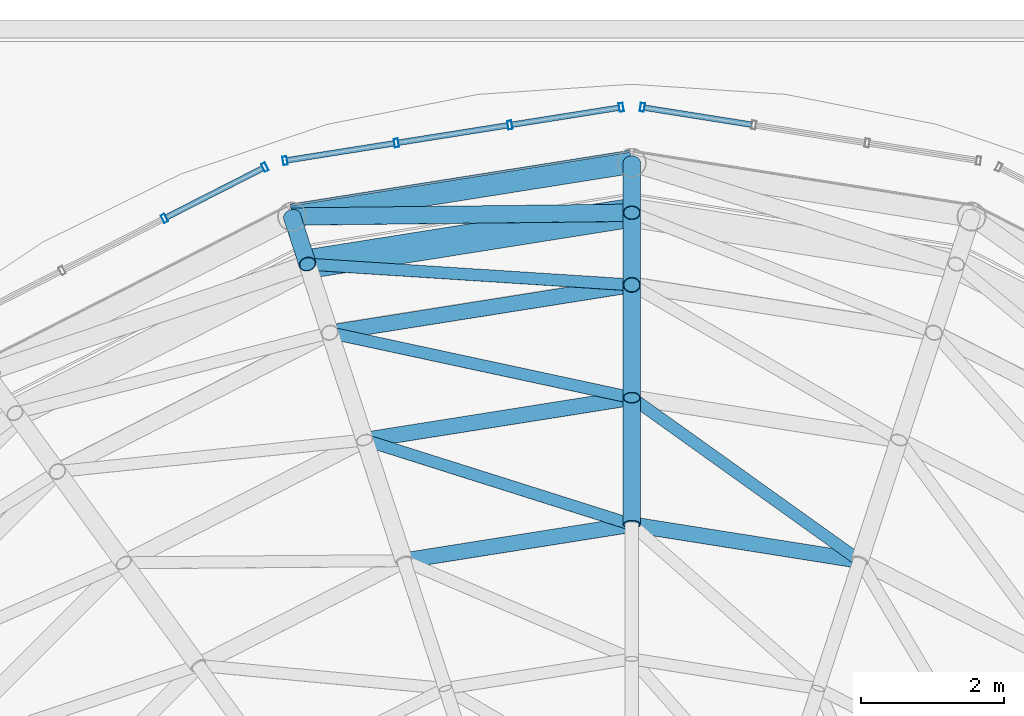
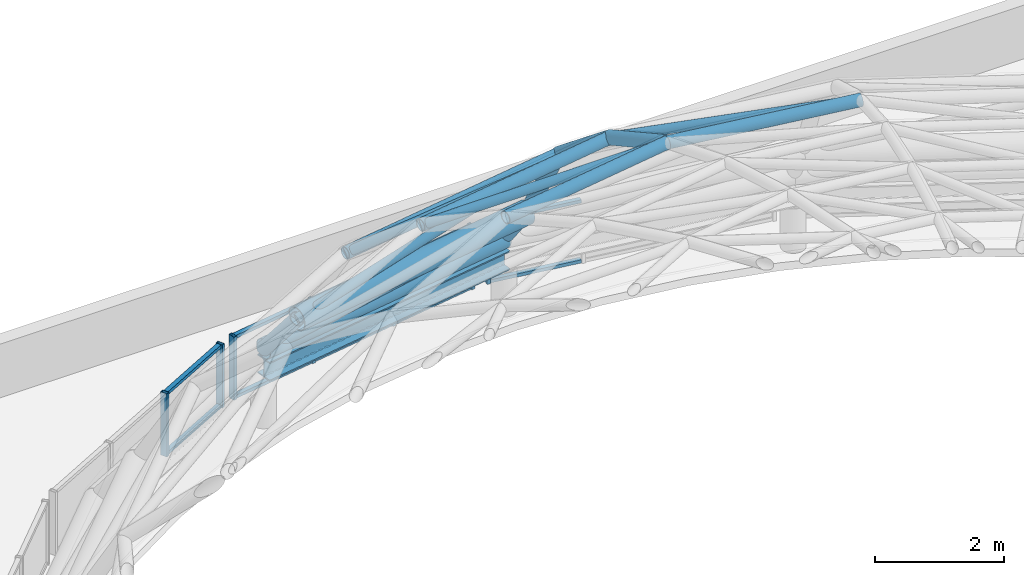
# One storey, part 36 of 69: 33 members, 1 beam, 3 elements without a shape of their own.
"""IFC4 building model written with IfcOpenShell, lengths in metres."""

from ifc_helpers import new_model, si_unit, direction, frame, origin, origin_2d, place, context, subcontext, project, spatial, hollow_rectangle, hollow_circle, i_section, extrude, material, layer, layer_set, material_profile, profile_set, type_object, element, aggregate, save


model = new_model("IFC4")

# Units and contexts
model_context = context("Model", 3, precision=1e-05, world=origin(), true_north=direction((0.0, 1.0)))
body_context = subcontext(model_context, "Body", "Model", "MODEL_VIEW")
ifc_project = project(units=[si_unit("LENGTHUNIT", "METRE"), si_unit("AREAUNIT", "SQUARE_METRE"), si_unit("VOLUMEUNIT", "CUBIC_METRE"), si_unit("PLANEANGLEUNIT", "RADIAN"), si_unit("MASSUNIT", "GRAM", prefix="KILO")], contexts=[model_context])

# Site, building, storey
site_placement = place(None, origin())
site = spatial("IfcSite", under=ifc_project, at=site_placement, CompositionType="ELEMENT")
building_placement = place(site_placement, origin())
building = spatial("IfcBuilding", under=site, at=building_placement, Name="Kallimachos Central Library", CompositionType="ELEMENT")
storey_placement = place(building_placement, frame((0.0, 0.0, 23.39990234375)))
storey = spatial("IfcBuildingStorey", under=building, at=storey_placement, Name="L05", CompositionType="ELEMENT", Elevation=23.39990234375)

# Members
ifc_material_1 = material(Name="Steel S355J2H", Category="steel")
ifc_material_profile_1 = material_profile(ifc_material_1, hollow_circle(Radius=0.084228515625, WallThickness=0.008056640625, at=origin_2d()), Name="CHS 168.3x8")
ifc_profile_set_1 = profile_set([ifc_material_profile_1], Name="Steel S355J2H")
member_type_1 = type_object("IfcMemberType", Name="CHS 168.3x8 dome diagonal", PredefinedType="BRACE", material=ifc_profile_set_1)
for number, where, z_axis, x_axis, name in (
    (1, (91.19287109375, 114.226806640625, 6.24853515625), (-0.789267453996, 0.564219408733, -0.242308367319), (-0.581550014211, -0.813510652033, 0.0), "Dome diagonal DD-4-04"),
    (2, (88.0, 114.732421875, 6.24853515625), (-0.924993749275, 0.292700442616, -0.242307686001), (-0.30169099835, -0.953405759115, 0.0), "Dome diagonal DD-4-05"),
):
    element("IfcMember", number, at=place(storey_placement, frame(where, z_axis=z_axis, x_axis=x_axis)), inside=storey, type_object=member_type_1, Name=name, PredefinedType="BRACE", context=body_context, shape_type="SweptSolid", body=[
        extrude(hollow_circle(Radius=0.084228515625, WallThickness=0.008056640625, at=origin_2d()), origin(), (0.0, 0.0, 1.0), 4.04541015625),
    ])
member_1_placement = place(storey_placement, frame((88.0, 116.50927734375, 5.268310546875), z_axis=(-0.938095847414, 0.201782375675, -0.281531621548), x_axis=(-0.210288119919, -0.977639456354, 0.0)))
element("IfcMember", 3, at=member_1_placement, inside=storey, type_object=member_type_1, Name="Dome diagonal DD-5-05", PredefinedType="BRACE", context=body_context, shape_type="SweptSolid", body=[
    extrude(hollow_circle(Radius=0.084228515625, WallThickness=0.008056640625, at=origin_2d()), origin(), (0.0, 0.0, 1.0), 4.50927734375),
])
member_2_placement = place(storey_placement, frame((88.0, 118.08935546875, 3.998779296875), z_axis=(-0.933461755214, 0.059852728903, -0.353647850828), x_axis=(-0.06398770127, -0.997950687202, 0.0)))
element("IfcMember", 4, at=member_2_placement, inside=storey, type_object=member_type_1, Name="Dome diagonal DD-6-05", PredefinedType="BRACE", context=body_context, shape_type="SweptSolid", body=[
    extrude(hollow_circle(Radius=0.084228515625, WallThickness=0.008056640625, at=origin_2d()), origin(), (0.0, 0.0, 1.0), 4.8662109375),
])
ifc_material_2 = material(Name="Steel S355J2H", Category="steel")
ifc_material_profile_2 = material_profile(ifc_material_2, hollow_circle(Radius=0.109619140625, WallThickness=0.012451171875, at=origin_2d()), Name="CHS 219.1x12.5")
ifc_profile_set_2 = profile_set([ifc_material_profile_2], Name="Steel S355J2H")
member_type_2 = type_object("IfcMemberType", Name="CHS 219.1x12.5 dome ring", PredefinedType="PURLIN", material=ifc_profile_set_2)
for number, where, z_axis, x_axis, name in (
    (5, (91.19287109375, 114.226806640625, 6.24853515625), (-0.987692444358, 0.156408552704, 0.0), (-0.156408552704, -0.987692444358, 0.0), "Dome ring DN-4-04"),
    (6, (88.0, 114.732421875, 6.24853515625), (-0.987692444358, -0.156408552704, 0.0), (0.156408552704, -0.987692444358, 0.0), "Dome ring DN-4-05"),
):
    element("IfcMember", number, at=place(storey_placement, frame(where, z_axis=z_axis, x_axis=x_axis)), inside=storey, type_object=member_type_2, Name=name, PredefinedType="PURLIN", context=body_context, shape_type="SweptSolid", body=[
        extrude(hollow_circle(Radius=0.109619140625, WallThickness=0.012451171875, at=origin_2d()), origin(), (0.0, 0.0, 1.0), 3.232666015625),
    ])
member_3_placement = place(storey_placement, frame((88.0, 116.50927734375, 5.268310546875), z_axis=(-0.987683942521, -0.156462230863, 0.0), x_axis=(0.156462230863, -0.987683942521, 0.0)))
element("IfcMember", 7, at=member_3_placement, inside=storey, type_object=member_type_2, Name="Dome ring DN-5-05", PredefinedType="PURLIN", context=body_context, shape_type="SweptSolid", body=[
    extrude(hollow_circle(Radius=0.109619140625, WallThickness=0.012451171875, at=origin_2d()), origin(), (0.0, 0.0, 1.0), 3.78857421875),
])
member_4_placement = place(storey_placement, frame((88.0, 118.08935546875, 3.998779296875), z_axis=(-0.987682414265, -0.15647187783, 0.0), x_axis=(0.15647187783, -0.987682414265, 0.0)))
element("IfcMember", 8, at=member_4_placement, inside=storey, type_object=member_type_2, Name="Dome ring DN-6-05", PredefinedType="PURLIN", context=body_context, shape_type="SweptSolid", body=[
    extrude(hollow_circle(Radius=0.109619140625, WallThickness=0.012451171875, at=origin_2d()), origin(), (0.0, 0.0, 1.0), 4.282958984375),
])
ifc_material_3 = material(Name="Steel S355J2H", Category="steel")
ifc_material_profile_3 = material_profile(ifc_material_3, hollow_circle(Radius=0.122314453125, WallThickness=0.012451171875, at=origin_2d()), Name="CHS 244.5x12.5")
ifc_profile_set_3 = profile_set([ifc_material_profile_3], Name="Steel S355J2H")
member_type_3 = type_object("IfcMemberType", Name="CHS 244.5x12.5 dome diagonal", PredefinedType="BRACE", material=ifc_profile_set_3)
member_5_placement = place(storey_placement, frame((88.0, 119.10009765625, 2.27783203125), z_axis=(-0.982525251914, -0.011089449796, -0.185798690671), x_axis=(0.011285962884, -0.999936311493, 0.0)))
element("IfcMember", 9, at=member_5_placement, inside=storey, type_object=member_type_3, Name="Dome diagonal DD-7-05", PredefinedType="BRACE", context=body_context, shape_type="SweptSolid", body=[
    extrude(hollow_circle(Radius=0.122314453125, WallThickness=0.012451171875, at=origin_2d()), origin(), (0.0, 0.0, 1.0), 4.843505859375),
])
ifc_material_4 = material(Name="Steel S355J2H", Category="steel")
ifc_material_profile_4 = material_profile(ifc_material_4, hollow_circle(Radius=0.122314453125, WallThickness=0.012451171875, at=origin_2d()), Name="CHS 244.5x12.5")
ifc_profile_set_4 = profile_set([ifc_material_profile_4], Name="Steel S355J2H")
member_type_4 = type_object("IfcMemberType", Name="CHS 244.5x12.5 dome rib", PredefinedType="RAFTER", material=ifc_profile_set_4)
member_6_placement = place(storey_placement, frame((88.0, 114.732421875, 6.24853515625), z_axis=(0.0, 0.875600494383, -0.483035996833), x_axis=(-1.0, 0.0, 0.0)))
element("IfcMember", 10, at=member_6_placement, inside=storey, type_object=member_type_4, Name="Dome rib DR-4-05", PredefinedType="RAFTER", context=body_context, shape_type="SweptSolid", body=[
    extrude(hollow_circle(Radius=0.122314453125, WallThickness=0.012451171875, at=origin_2d()), origin(), (0.0, 0.0, 1.0), 2.029296875),
])
member_7_placement = place(storey_placement, frame((88.0, 116.50927734375, 5.268310546875), z_axis=(0.0, 0.779550942262, -0.626338828764), x_axis=(-1.0, 0.0, 0.0)))
element("IfcMember", 11, at=member_7_placement, inside=storey, type_object=member_type_4, Name="Dome rib DR-5-05", PredefinedType="RAFTER", context=body_context, shape_type="SweptSolid", body=[
    extrude(hollow_circle(Radius=0.122314453125, WallThickness=0.012451171875, at=origin_2d()), origin(), (0.0, 0.0, 1.0), 2.02685546875),
])
member_8_placement = place(storey_placement, frame((88.0, 118.08935546875, 3.998779296875), z_axis=(0.0, 0.506431960576, -0.862279925145), x_axis=(-1.0, 0.0, 0.0)))
element("IfcMember", 12, at=member_8_placement, inside=storey, type_object=member_type_4, Name="Dome rib DR-6-05", PredefinedType="RAFTER", context=body_context, shape_type="SweptSolid", body=[
    extrude(hollow_circle(Radius=0.122314453125, WallThickness=0.012451171875, at=origin_2d()), origin(), (0.0, 0.0, 1.0), 1.995849609375),
])
for number, where, z_axis, x_axis, name in (
    (13, (88.0, 119.10009765625, 2.27783203125), (0.0, 0.613955438871, -0.78934068632), (-1.0, 0.0, 0.0), "Dome rib DR-7-05"),
    (14, (83.45751953125, 118.380615234375, 2.27783203125), (-0.189725015868, 0.583950472089, -0.78930745879), (-0.951062257173, -0.308999325213, 0.0), "Dome rib DR-7-06"),
):
    element("IfcMember", number, at=place(storey_placement, frame(where, z_axis=z_axis, x_axis=x_axis)), inside=storey, type_object=member_type_4, Name=name, PredefinedType="RAFTER", context=body_context, shape_type="SweptSolid", body=[
        extrude(hollow_circle(Radius=0.122314453125, WallThickness=0.012451171875, at=origin_2d()), origin(), (0.0, 0.0, 1.0), 1.14013671875),
    ])
ifc_material_5 = material(Name="Steel S355J2H", Category="steel")
ifc_material_profile_5 = material_profile(ifc_material_5, hollow_circle(Radius=0.177734375, WallThickness=0.008056640625, at=origin_2d()), Name="CHS 355.6x8")
ifc_profile_set_5 = profile_set([ifc_material_profile_5], Name="Steel S355J2H")
member_type_5 = type_object("IfcMemberType", Name="CHS 355.6x8 dome ring", PredefinedType="PURLIN", material=ifc_profile_set_5)
member_9_placement = place(storey_placement, frame((88.0, 119.800048828125, 1.3779296875), z_axis=(-0.987690137413, -0.156423119957, 0.0), x_axis=(0.156423119957, -0.987690137413, 0.0)))
element("IfcMember", 15, at=member_9_placement, inside=storey, type_object=member_type_5, Name="Dome ring DN-8-05", PredefinedType="PURLIN", context=body_context, shape_type="SweptSolid", body=[
    extrude(hollow_circle(Radius=0.177734375, WallThickness=0.008056640625, at=origin_2d()), origin(), (0.0, 0.0, 1.0), 4.818115234375),
])
ifc_material_6 = material(Name="Steel S355J2H", Category="steel")
ifc_material_profile_6 = material_profile(ifc_material_6, hollow_circle(Radius=0.203125, WallThickness=0.012451171875, at=origin_2d()), Name="CHS 406.4x12.5")
ifc_profile_set_6 = profile_set([ifc_material_profile_6], Name="Steel S355J2H")
member_type_6 = type_object("IfcMemberType", Name="CHS 406.4x12.5 dome ring", PredefinedType="PURLIN", material=ifc_profile_set_6)
member_10_placement = place(storey_placement, frame((88.0, 119.10009765625, 2.27783203125), z_axis=(-0.987687527738, -0.156439597132, 0.0), x_axis=(0.156439597132, -0.987687527738, 0.0)))
element("IfcMember", 16, at=member_10_placement, inside=storey, type_object=member_type_6, Name="Dome ring DN-7-05", PredefinedType="PURLIN", context=body_context, shape_type="SweptSolid", body=[
    extrude(hollow_circle(Radius=0.203125, WallThickness=0.012451171875, at=origin_2d()), origin(), (0.0, 0.0, 1.0), 4.59912109375),
])

# Curtain wall, member
ifc_material_7 = material(Name="Anodised aluminium and laminated glass", Category="aluminium")
ifc_layer = layer(ifc_material_7, 0.159912109375)
ifc_layer_set = layer_set([ifc_layer], Name="Glass box curtain wall")
curtain_wall_type = type_object("IfcCurtainWallType", Name="Glass box curtain wall", PredefinedType="NOTDEFINED", material=ifc_layer_set)
curtain_wall_1_placement = place(storey_placement, origin())
curtain_wall_1 = element("IfcCurtainWall", 17, at=curtain_wall_1_placement, inside=storey, type_object=curtain_wall_type, Name="Drum clerestory facet 5", PredefinedType="NOTDEFINED")
ifc_material_8 = material(Name="Anodised aluminium", Category="aluminium")
ifc_material_profile_7 = material_profile(ifc_material_8, hollow_rectangle(XDim=0.06005859375, YDim=0.1201171875, WallThickness=0.00390625, at=origin_2d()), Name="ALU MULLION 60x120")
ifc_profile_set_7 = profile_set([ifc_material_profile_7], Name="Anodised aluminium")
member_type_7 = type_object("IfcMemberType", Name="Glass box mullion 60x120", PredefinedType="MULLION", material=ifc_profile_set_7)
member_11_placement = place(storey_placement, frame((88.148193359375, 120.575927734375, 0.0), z_axis=(0.0, 0.0, 1.0), x_axis=(-0.987688202185, 0.156435338924, 0.0)))
member_11 = element("IfcMember", 18, at=member_11_placement, type_object=member_type_7, Name="CW39 mullion 4", PredefinedType="MULLION", context=body_context, shape_type="SweptSolid", body=[
    extrude(hollow_rectangle(XDim=0.06005859375, YDim=0.1201171875, WallThickness=0.00390625, at=origin_2d()), origin(), (0.0, 0.0, 1.0), 1.2001953125),
])

# Curtain wall, members
curtain_wall_2_placement = place(storey_placement, origin())
curtain_wall_2 = element("IfcCurtainWall", 19, at=curtain_wall_2_placement, inside=storey, type_object=curtain_wall_type, Name="Drum clerestory facet 6", PredefinedType="NOTDEFINED")
member_12_placement = place(storey_placement, frame((87.851806640625, 120.575927734375, 0.0), z_axis=(0.0, 0.0, 1.0), x_axis=(-0.987688202185, -0.156435338924, 0.0)))
member_12 = element("IfcMember", 20, at=member_12_placement, type_object=member_type_7, Name="CW40 mullion 1", PredefinedType="MULLION", context=body_context, shape_type="SweptSolid", body=[
    extrude(hollow_rectangle(XDim=0.06005859375, YDim=0.1201171875, WallThickness=0.00390625, at=origin_2d()), origin(), (0.0, 0.0, 1.0), 1.2001953125),
])
member_13_placement = place(storey_placement, frame((86.291748046875, 120.328857421875, 0.0), z_axis=(0.0, 0.0, 1.0), x_axis=(-0.987688202185, -0.156435338924, 0.0)))
member_13 = element("IfcMember", 21, at=member_13_placement, type_object=member_type_7, Name="CW40 mullion 2", PredefinedType="MULLION", context=body_context, shape_type="SweptSolid", body=[
    extrude(hollow_rectangle(XDim=0.06005859375, YDim=0.1201171875, WallThickness=0.00390625, at=origin_2d()), origin(), (0.0, 0.0, 1.0), 1.2001953125),
])
member_14_placement = place(storey_placement, frame((84.7021484375, 120.0771484375, 0.0), z_axis=(0.0, 0.0, 1.0), x_axis=(-0.987688202185, -0.156435338924, 0.0)))
member_14 = element("IfcMember", 22, at=member_14_placement, type_object=member_type_7, Name="CW40 mullion 3", PredefinedType="MULLION", context=body_context, shape_type="SweptSolid", body=[
    extrude(hollow_rectangle(XDim=0.06005859375, YDim=0.1201171875, WallThickness=0.00390625, at=origin_2d()), origin(), (0.0, 0.0, 1.0), 1.2001953125),
])
member_15_placement = place(storey_placement, frame((83.142333984375, 119.830078125, 0.0), z_axis=(0.0, 0.0, 1.0), x_axis=(-0.987688202185, -0.156435338924, 0.0)))
member_15 = element("IfcMember", 23, at=member_15_placement, type_object=member_type_7, Name="CW40 mullion 4", PredefinedType="MULLION", context=body_context, shape_type="SweptSolid", body=[
    extrude(hollow_rectangle(XDim=0.06005859375, YDim=0.1201171875, WallThickness=0.00390625, at=origin_2d()), origin(), (0.0, 0.0, 1.0), 1.2001953125),
])

curtain_wall_3_placement = place(storey_placement, origin())
curtain_wall_3 = element("IfcCurtainWall", 24, at=curtain_wall_3_placement, inside=storey, type_object=curtain_wall_type, Name="Drum clerestory facet 7", PredefinedType="NOTDEFINED")
member_16_placement = place(storey_placement, frame((82.8603515625, 119.738525390625, 0.0), z_axis=(0.0, 0.0, 1.0), x_axis=(-0.891006369337, -0.453990803653, 0.0)))
member_16 = element("IfcMember", 25, at=member_16_placement, type_object=member_type_7, Name="CW41 mullion 1", PredefinedType="MULLION", context=body_context, shape_type="SweptSolid", body=[
    extrude(hollow_rectangle(XDim=0.06005859375, YDim=0.1201171875, WallThickness=0.00390625, at=origin_2d()), origin(), (0.0, 0.0, 1.0), 1.2001953125),
])
member_17_placement = place(storey_placement, frame((81.453125, 119.021484375, 0.0), z_axis=(0.0, 0.0, 1.0), x_axis=(-0.891006369337, -0.453990803653, 0.0)))
member_17 = element("IfcMember", 26, at=member_17_placement, type_object=member_type_7, Name="CW41 mullion 2", PredefinedType="MULLION", context=body_context, shape_type="SweptSolid", body=[
    extrude(hollow_rectangle(XDim=0.06005859375, YDim=0.1201171875, WallThickness=0.00390625, at=origin_2d()), origin(), (0.0, 0.0, 1.0), 1.2001953125),
])

# Member
ifc_material_9 = material(Name="Anodised aluminium", Category="aluminium")
ifc_material_profile_8 = material_profile(ifc_material_9, hollow_rectangle(XDim=0.06005859375, YDim=0.080078125, WallThickness=0.00390625, at=origin_2d()), Name="ALU TRANSOM 60x80")
ifc_profile_set_8 = profile_set([ifc_material_profile_8], Name="Anodised aluminium")
member_type_8 = type_object("IfcMemberType", Name="Glass box transom 60x80", PredefinedType="USERDEFINED", material=ifc_profile_set_8)
member_18_placement = place(storey_placement, frame((89.678466796875, 120.33349609375, 0.030029296875), z_axis=(-0.9876781389, 0.156498862419, 0.0), x_axis=(0.0, 0.0, 1.0)))
member_18 = element("IfcMember", 27, at=member_18_placement, type_object=member_type_8, Name="CW39 transom 3.1", ObjectType="TRANSOM", PredefinedType="USERDEFINED", context=body_context, shape_type="SweptSolid", body=[
    extrude(hollow_rectangle(XDim=0.06005859375, YDim=0.080078125, WallThickness=0.00390625, at=origin_2d()), origin(), (0.0, 0.0, 1.0), 1.51953125),
])

member_19_placement = place(storey_placement, frame((89.678466796875, 120.33349609375, 1.170166015625), z_axis=(-0.9876781389, 0.156498862419, 0.0), x_axis=(0.0, 0.0, 1.0)))
member_19 = element("IfcMember", 28, at=member_19_placement, type_object=member_type_8, Name="CW39 transom 3.2", ObjectType="TRANSOM", PredefinedType="USERDEFINED", context=body_context, shape_type="SweptSolid", body=[
    extrude(hollow_rectangle(XDim=0.06005859375, YDim=0.080078125, WallThickness=0.00390625, at=origin_2d()), origin(), (0.0, 0.0, 1.0), 1.51953125),
])

aggregate(curtain_wall_1, [member_11, member_18, member_19])

member_20_placement = place(storey_placement, frame((87.822265625, 120.5712890625, 0.030029296875), z_axis=(-0.9876781389, -0.156498862419, 0.0), x_axis=(0.0, 0.0, 1.0)))
member_20 = element("IfcMember", 29, at=member_20_placement, type_object=member_type_8, Name="CW40 transom 1.1", ObjectType="TRANSOM", PredefinedType="USERDEFINED", context=body_context, shape_type="SweptSolid", body=[
    extrude(hollow_rectangle(XDim=0.06005859375, YDim=0.080078125, WallThickness=0.00390625, at=origin_2d()), origin(), (0.0, 0.0, 1.0), 1.51953125),
])

member_21_placement = place(storey_placement, frame((87.822265625, 120.5712890625, 1.170166015625), z_axis=(-0.9876781389, -0.156498862419, 0.0), x_axis=(0.0, 0.0, 1.0)))
member_21 = element("IfcMember", 30, at=member_21_placement, type_object=member_type_8, Name="CW40 transom 1.2", ObjectType="TRANSOM", PredefinedType="USERDEFINED", context=body_context, shape_type="SweptSolid", body=[
    extrude(hollow_rectangle(XDim=0.06005859375, YDim=0.080078125, WallThickness=0.00390625, at=origin_2d()), origin(), (0.0, 0.0, 1.0), 1.51953125),
])

member_22_placement = place(storey_placement, frame((86.26220703125, 120.32421875, 0.030029296875), z_axis=(-0.987682342586, -0.156472330279, 0.0), x_axis=(0.0, 0.0, 1.0)))
member_22 = element("IfcMember", 31, at=member_22_placement, type_object=member_type_8, Name="CW40 transom 2.1", ObjectType="TRANSOM", PredefinedType="USERDEFINED", context=body_context, shape_type="SweptSolid", body=[
    extrude(hollow_rectangle(XDim=0.06005859375, YDim=0.080078125, WallThickness=0.00390625, at=origin_2d()), origin(), (0.0, 0.0, 1.0), 1.54931640625),
])

member_23_placement = place(storey_placement, frame((86.26220703125, 120.32421875, 1.170166015625), z_axis=(-0.987682342586, -0.156472330279, 0.0), x_axis=(0.0, 0.0, 1.0)))
member_23 = element("IfcMember", 32, at=member_23_placement, type_object=member_type_8, Name="CW40 transom 2.2", ObjectType="TRANSOM", PredefinedType="USERDEFINED", context=body_context, shape_type="SweptSolid", body=[
    extrude(hollow_rectangle(XDim=0.06005859375, YDim=0.080078125, WallThickness=0.00390625, at=origin_2d()), origin(), (0.0, 0.0, 1.0), 1.54931640625),
])

member_24_placement = place(storey_placement, frame((84.672607421875, 120.072509765625, 0.030029296875), z_axis=(-0.9876781389, -0.156498862419, 0.0), x_axis=(0.0, 0.0, 1.0)))
member_24 = element("IfcMember", 33, at=member_24_placement, type_object=member_type_8, Name="CW40 transom 3.1", ObjectType="TRANSOM", PredefinedType="USERDEFINED", context=body_context, shape_type="SweptSolid", body=[
    extrude(hollow_rectangle(XDim=0.06005859375, YDim=0.080078125, WallThickness=0.00390625, at=origin_2d()), origin(), (0.0, 0.0, 1.0), 1.51953125),
])

member_25_placement = place(storey_placement, frame((84.672607421875, 120.072509765625, 1.170166015625), z_axis=(-0.9876781389, -0.156498862419, 0.0), x_axis=(0.0, 0.0, 1.0)))
member_25 = element("IfcMember", 34, at=member_25_placement, type_object=member_type_8, Name="CW40 transom 3.2", ObjectType="TRANSOM", PredefinedType="USERDEFINED", context=body_context, shape_type="SweptSolid", body=[
    extrude(hollow_rectangle(XDim=0.06005859375, YDim=0.080078125, WallThickness=0.00390625, at=origin_2d()), origin(), (0.0, 0.0, 1.0), 1.51953125),
])

aggregate(curtain_wall_2, [member_12, member_13, member_14, member_15, member_20, member_21, member_22, member_23, member_24, member_25])

member_26_placement = place(storey_placement, frame((82.833740234375, 119.724853515625, 0.030029296875), z_axis=(-0.891027233573, -0.453949852992, 0.0), x_axis=(0.0, 0.0, 1.0)))
member_26 = element("IfcMember", 35, at=member_26_placement, type_object=member_type_8, Name="CW41 transom 1.1", ObjectType="TRANSOM", PredefinedType="USERDEFINED", context=body_context, shape_type="SweptSolid", body=[
    extrude(hollow_rectangle(XDim=0.06005859375, YDim=0.080078125, WallThickness=0.00390625, at=origin_2d()), origin(), (0.0, 0.0, 1.0), 1.519287109375),
])

member_27_placement = place(storey_placement, frame((82.833740234375, 119.724853515625, 1.170166015625), z_axis=(-0.891027233573, -0.453949852992, 0.0), x_axis=(0.0, 0.0, 1.0)))
member_27 = element("IfcMember", 36, at=member_27_placement, type_object=member_type_8, Name="CW41 transom 1.2", ObjectType="TRANSOM", PredefinedType="USERDEFINED", context=body_context, shape_type="SweptSolid", body=[
    extrude(hollow_rectangle(XDim=0.06005859375, YDim=0.080078125, WallThickness=0.00390625, at=origin_2d()), origin(), (0.0, 0.0, 1.0), 1.519287109375),
])

aggregate(curtain_wall_3, [member_16, member_17, member_26, member_27])

# Beam
ifc_material_10 = material(Name="Steel S355J2", Category="steel")
ifc_material_profile_9 = material_profile(ifc_material_10, i_section(OverallWidth=0.300048828125, OverallDepth=0.360107421875, WebThickness=0.012451171875, FlangeThickness=0.0224609375, FilletRadius=0.027099609375, at=origin_2d()), Name="HEB 360")
ifc_profile_set_9 = profile_set([ifc_material_profile_9], Name="Steel S355J2")
beam_type = type_object("IfcBeamType", Name="HEB 360 beam", PredefinedType="BEAM", material=ifc_profile_set_9)
beam_placement = place(storey_placement, frame((88.0, 119.800048828125, 1.02001953125), z_axis=(-0.987690137413, -0.156423119957, 0.0), x_axis=(0.156423119957, -0.987690137413, 0.0)))
element("IfcBeam", 37, at=beam_placement, inside=storey, type_object=beam_type, Name="V1-BEM-L05-006", PredefinedType="BEAM", context=body_context, shape_type="SweptSolid", body=[
    extrude(i_section(OverallWidth=0.300048828125, OverallDepth=0.360107421875, WebThickness=0.012451171875, FlangeThickness=0.0224609375, FilletRadius=0.027099609375, at=origin_2d()), origin(), (0.0, 0.0, 1.0), 4.818115234375),
])

save(model, "model.ifc")
